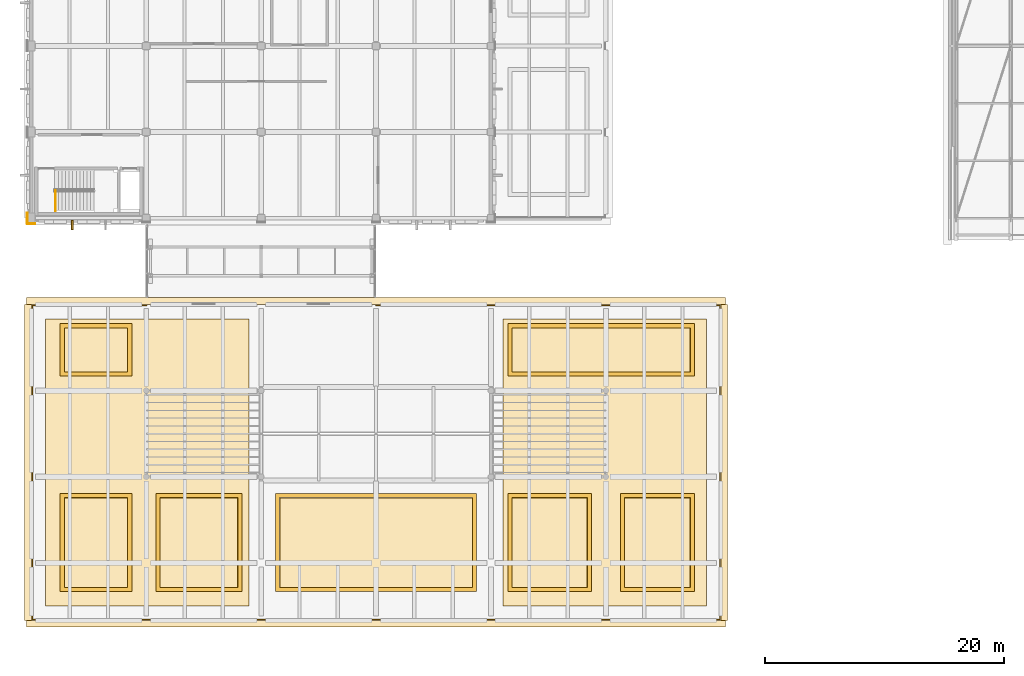
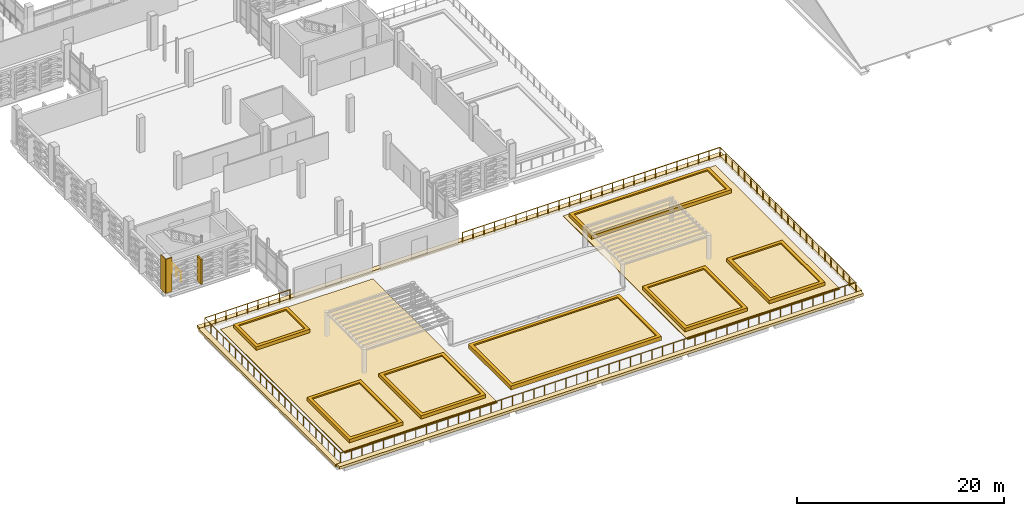
# One storey, part 118 of 134: 23 coverings, 2 railings.
"""IFC4 building model written with IfcOpenShell, lengths in metres."""

import ifcopenshell
import ifcopenshell.guid

model = None  # the IFC model being written
_history = None  # IfcOwnerHistory: only IFC2X3 demands one
_inside = {}  # id of a spatial element -> (the spatial element, [elements in it])
_under = {}  # id of a project, library or spatial element -> (it, [spatial elements below it])
_declared = {}  # id of a project -> (the project, [libraries it declares])
_typed = {}  # id of a type object -> (the type object, [elements of that type])
_made_of = {}  # id of a material, layer set ... -> (it, [elements and type objects made of it])


def new_model(schema):
    """Start an empty IFC model of exactly this schema.

    Asked for "IFC4X3", IfcOpenShell would pick the latest addendum, in which some entities
    have other attributes; the version numbers below select the first issue.
    IFC2X3 requires an IfcOwnerHistory on every rooted entity: one is made here for all.
    """
    global model, _history
    if schema == "IFC4X3":
        model = ifcopenshell.file(schema_version=(4, 3, 0, 0))
    else:
        model = ifcopenshell.file(schema=schema)
    _inside.clear()
    _under.clear()
    _declared.clear()
    _typed.clear()
    _made_of.clear()
    _history = None
    if model.schema == "IFC2X3":
        org = make("IfcOrganization", Name="unknown")
        user = make(
            "IfcPersonAndOrganization",
            ThePerson=make("IfcPerson", FamilyName="unknown"),
            TheOrganization=org,
        )
        app = make(
            "IfcApplication",
            ApplicationDeveloper=org,
            Version="unknown",
            ApplicationFullName="unknown",
            ApplicationIdentifier="unknown",
        )
        _history = make(
            "IfcOwnerHistory",
            OwningUser=user,
            OwningApplication=app,
            ChangeAction="ADDED",
            CreationDate=0,
        )
    return model


def make(cls, **values):
    """One entity of the class cls with the attributes given. An attribute that is None is left unset."""
    return model.create_entity(
        cls, **{name: value for name, value in values.items() if value is not None}
    )


def rooted(cls, **values):
    """An entity with a GlobalId (a new one), such as an element, a storey or a relation."""
    return make(cls, GlobalId=ifcopenshell.guid.new(), OwnerHistory=_history, **values)


def si_unit(unit_type, name, prefix=None):
    """IfcSIUnit, for example si_unit("LENGTHUNIT", "METRE", prefix="MILLI")."""
    return make("IfcSIUnit", UnitType=unit_type, Prefix=prefix, Name=name)


def assignment(units):
    """IfcUnitAssignment: the units of a project."""
    return None if units is None else make("IfcUnitAssignment", Units=units)


def point(xyz):
    """IfcCartesianPoint."""
    return None if xyz is None else make("IfcCartesianPoint", Coordinates=xyz)


def direction(xyz):
    """IfcDirection."""
    return None if xyz is None else make("IfcDirection", DirectionRatios=xyz)


def frame(location, z_axis=None, x_axis=None):
    """IfcAxis2Placement3D, a coordinate frame: its origin and axes. An axis left out is left unset."""
    return make(
        "IfcAxis2Placement3D",
        Location=point(location),
        Axis=direction(z_axis),
        RefDirection=direction(x_axis),
    )


def frame_2d(location, x_axis=None):
    """IfcAxis2Placement2D, a coordinate frame in the plane: its origin and x axis."""
    return make(
        "IfcAxis2Placement2D", Location=point(location), RefDirection=direction(x_axis)
    )


def origin():
    """The frame at (0, 0, 0) with its axes left unset."""
    return frame((0.0, 0.0, 0.0))


def origin_2d():
    """The frame at (0, 0) in the plane with its x axis left unset."""
    return frame_2d((0.0, 0.0))


def place(relative_to, where):
    """IfcLocalPlacement: puts the frame where relative to a parent placement (None: the world)."""
    return make(
        "IfcLocalPlacement", PlacementRelTo=relative_to, RelativePlacement=where
    )


def context(
    kind, dimensions, precision=None, world=None, true_north=None, identifier=None
):
    """IfcGeometricRepresentationContext, for example the 3D "Model" context."""
    return make(
        "IfcGeometricRepresentationContext",
        ContextIdentifier=identifier,
        ContextType=kind,
        CoordinateSpaceDimension=dimensions,
        Precision=precision,
        WorldCoordinateSystem=world,
        TrueNorth=true_north,
    )


def subcontext(parent, identifier, kind, view, scale=None):
    """IfcGeometricRepresentationSubContext, for example "Body" below "Model"."""
    return make(
        "IfcGeometricRepresentationSubContext",
        ContextIdentifier=identifier,
        ContextType=kind,
        ParentContext=parent,
        TargetScale=scale,
        TargetView=view,
    )


def project(units=None, contexts=None):
    """IfcProject with its units and contexts."""
    return rooted(
        "IfcProject",
        Name="project",
        RepresentationContexts=contexts,
        UnitsInContext=assignment(units),
    )


def spatial(cls, under=None, at=None, **own):
    """A site, building, storey or space (cls), placed at a placement, below another one or the project."""
    s = rooted(cls, ObjectPlacement=at, **own)
    if under is not None:
        _under.setdefault(under.id(), (under, []))[1].append(s)
    return s


def polyline(points):
    """IfcPolyline through the points."""
    return make("IfcPolyline", Points=[point(p) for p in points])


def profile(cls, at=None, kind="AREA", **sizes):
    """A parametric profile (cls). Its sizes go by their IFC names, for example OverallWidth=200.0."""
    return make(cls, ProfileType=kind, Position=at, **sizes)


def rectangle(**sizes):
    """IfcRectangleProfileDef."""
    return profile("IfcRectangleProfileDef", **sizes)


def circle(**sizes):
    """IfcCircleProfileDef."""
    return profile("IfcCircleProfileDef", **sizes)


def outline(outer, holes=None, kind="AREA"):
    """IfcArbitraryClosedProfileDef: a profile drawn as a closed curve; with holes, ...WithVoids."""
    if holes is None:
        return make("IfcArbitraryClosedProfileDef", ProfileType=kind, OuterCurve=outer)
    return make(
        "IfcArbitraryProfileDefWithVoids",
        ProfileType=kind,
        OuterCurve=outer,
        InnerCurves=holes,
    )


def extrude(swept, where, along, depth):
    """IfcExtrudedAreaSolid: the profile swept, set in the frame where, extruded along a direction by depth."""
    return make(
        "IfcExtrudedAreaSolid",
        SweptArea=swept,
        Position=where,
        ExtrudedDirection=direction(along),
        Depth=depth,
    )


def shape(context_of_items, identifier, shape_type, items):
    """IfcShapeRepresentation: the items that make up one representation, for example the "Body"."""
    return make(
        "IfcShapeRepresentation",
        ContextOfItems=context_of_items,
        RepresentationIdentifier=identifier,
        RepresentationType=shape_type,
        Items=items,
    )


def material(Name=None, Category=None):
    """IfcMaterial."""
    return make("IfcMaterial", Name=Name, Category=Category)


def layer(
    of_material, thickness, ventilated=None, Name=None, Category=None, Priority=None
):
    """IfcMaterialLayer: one layer of a wall or slab, of a material (None: an air gap)."""
    return make(
        "IfcMaterialLayer",
        Material=of_material,
        LayerThickness=thickness,
        IsVentilated=ventilated,
        Name=Name,
        Category=Category,
        Priority=Priority,
    )


def layer_set(layers, Name=None):
    """IfcMaterialLayerSet."""
    return make("IfcMaterialLayerSet", MaterialLayers=layers, LayerSetName=Name)


def made_of(thing, what):
    """Note that an element or type object is made of a material, layer set ...; save() writes the relation."""
    if what is not None:
        _made_of.setdefault(what.id(), (what, []))[1].append(thing)
    return thing


def type_object(cls, material=None, **own):
    """A type object (cls), such as IfcWallType, which elements share."""
    return made_of(rooted(cls, **own), material)


def element(
    cls,
    number,
    at=None,
    inside=None,
    cuts=None,
    type_object=None,
    material=None,
    context=None,
    identifier="Body",
    shape_type=None,
    held_by="IfcProductDefinitionShape",
    body=None,
    shapes=None,
    **own,
):
    """One element of the class cls, such as IfcWall. Its Tag is "e" and its number.

    at: its placement. inside: the storey or other place that contains it. cuts: it is an
    opening in that element (IfcRelVoidsElement). A single representation is given by context,
    identifier, shape_type and body (its items); several are given by shapes. held_by: the class
    of the entity that holds the representations. save() writes the other relations.
    """
    e = rooted(cls, Tag="e%d" % number, ObjectPlacement=at, **own)
    if body is not None:
        shapes = [shape(context, identifier, shape_type, body)]
    if shapes is not None:
        e.Representation = make(held_by, Representations=shapes)
    if inside is not None:
        _inside.setdefault(inside.id(), (inside, []))[1].append(e)
    if cuts is not None:
        rooted(
            "IfcRelVoidsElement", RelatingBuildingElement=cuts, RelatedOpeningElement=e
        )
    if type_object is not None:
        _typed.setdefault(type_object.id(), (type_object, []))[1].append(e)
    return made_of(e, material)


def aggregate(whole, parts):
    """IfcRelAggregates: a whole, such as a stair, and the parts it consists of."""
    return rooted("IfcRelAggregates", RelatingObject=whole, RelatedObjects=parts)


def save(model, path):
    """Write the relations noted so far, then the file.

    IfcRelAggregates (storeys below a building ...), IfcRelContainedInSpatialStructure (elements
    in a storey), IfcRelDefinesByType, IfcRelAssociatesMaterial and IfcRelDeclares: one each for
    every whole, place, type object, material and project.
    """
    for whole, parts in _under.values():
        aggregate(whole, parts)
    for where, things in _inside.values():
        rooted(
            "IfcRelContainedInSpatialStructure",
            RelatedElements=things,
            RelatingStructure=where,
        )
    for kind, things in _typed.values():
        rooted("IfcRelDefinesByType", RelatedObjects=things, RelatingType=kind)
    for what, things in _made_of.values():
        rooted("IfcRelAssociatesMaterial", RelatedObjects=things, RelatingMaterial=what)
    for by, libraries in _declared.values():
        rooted("IfcRelDeclares", RelatingContext=by, RelatedDefinitions=libraries)
    model.write(path)


model = new_model("IFC4")

# Units and contexts
model_context = context("Model", 3, precision=1e-05, world=origin(), true_north=direction((0.0, 1.0)))
body_context = subcontext(model_context, "Body", "Model", "MODEL_VIEW")
ifc_project = project(units=[si_unit("LENGTHUNIT", "METRE"), si_unit("AREAUNIT", "SQUARE_METRE"), si_unit("VOLUMEUNIT", "CUBIC_METRE"), si_unit("PLANEANGLEUNIT", "RADIAN"), si_unit("MASSUNIT", "GRAM", prefix="KILO")], contexts=[model_context])

# Site, building, storey
site_placement = place(None, origin())
site = spatial("IfcSite", under=ifc_project, at=site_placement, CompositionType="ELEMENT")
building_placement = place(site_placement, origin())
building = spatial("IfcBuilding", under=site, at=building_placement, Name="Asteropetra Specialist Clinic", CompositionType="ELEMENT")
storey_placement = place(building_placement, frame((0.0, 0.0, 8.5)))
storey = spatial("IfcBuildingStorey", under=building, at=storey_placement, Name="L02", CompositionType="ELEMENT", Elevation=8.5)

# Railing
ifc_material_1 = material(Name="Pentelic marble and bronze balustrade", Category="masonry")
railing_type_1 = type_object("IfcRailingType", Name="BAL-STONE-1150", PredefinedType="BALUSTRADE", material=ifc_material_1)
railing_1_placement = place(storey_placement, frame((28.800048828125, 26.320068359375, 0.0)))
element("IfcRailing", 1, at=railing_1_placement, inside=storey, type_object=railing_type_1, Name="Perimeter Guard BAL-V2-SE", PredefinedType="BALUSTRADE", context=body_context, shape_type="SweptSolid", body=[
    extrude(circle(Radius=0.02392578125, at=origin_2d()), frame((0.0, 0.0, 1.1259765625), z_axis=(1.0, 0.0, 0.0), x_axis=(0.0, 1.0, 0.0)), (0.0, 0.0, 1.0), 28.719970703125),
    extrude(circle(Radius=0.02392578125, at=origin_2d()), frame((28.719970703125, 0.0, 1.1259765625), z_axis=(0.0, -1.0, 0.0), x_axis=(1.0, 0.0, 0.0)), (0.0, 0.0, 1.0), 26.239990234375),
    extrude(circle(Radius=0.02392578125, at=origin_2d()), frame((28.719970703125, -26.239990234375, 1.1259765625), z_axis=(-1.0, 0.0, 0.0), x_axis=(0.0, -1.0, 0.0)), (0.0, 0.0, 1.0), 57.43994140625),
    extrude(circle(Radius=0.02392578125, at=origin_2d()), frame((-28.719970703125, -26.239990234375, 1.1259765625), z_axis=(0.0, 1.0, 0.0), x_axis=(-1.0, 0.0, 0.0)), (0.0, 0.0, 1.0), 26.239990234375),
    extrude(circle(Radius=0.02392578125, at=origin_2d()), frame((-28.719970703125, 0.0, 1.1259765625), z_axis=(1.0, 0.0, 0.0), x_axis=(0.0, 1.0, 0.0)), (0.0, 0.0, 1.0), 9.52001953125),
    extrude(circle(Radius=0.02099609375, at=origin_2d()), origin(), (0.0, 0.0, 1.0), 1.101806640625),
    extrude(circle(Radius=0.02099609375, at=origin_2d()), frame((1.19677734375, 0.0, 0.0)), (0.0, 0.0, 1.0), 1.101806640625),
    extrude(circle(Radius=0.02099609375, at=origin_2d()), frame((2.393310546875, 0.0, 0.0)), (0.0, 0.0, 1.0), 1.101806640625),
    extrude(circle(Radius=0.02099609375, at=origin_2d()), frame((3.590087890625, 0.0, 0.0)), (0.0, 0.0, 1.0), 1.101806640625),
    extrude(circle(Radius=0.02099609375, at=origin_2d()), frame((4.78662109375, 0.0, 0.0)), (0.0, 0.0, 1.0), 1.101806640625),
    extrude(circle(Radius=0.02099609375, at=origin_2d()), frame((5.9833984375, 0.0, 0.0)), (0.0, 0.0, 1.0), 1.101806640625),
    extrude(circle(Radius=0.02099609375, at=origin_2d()), frame((7.179931640625, 0.0, 0.0)), (0.0, 0.0, 1.0), 1.101806640625),
    extrude(circle(Radius=0.02099609375, at=origin_2d()), frame((8.376708984375, 0.0, 0.0)), (0.0, 0.0, 1.0), 1.101806640625),
    extrude(circle(Radius=0.02099609375, at=origin_2d()), frame((9.5732421875, 0.0, 0.0)), (0.0, 0.0, 1.0), 1.101806640625),
    extrude(circle(Radius=0.02099609375, at=origin_2d()), frame((10.77001953125, 0.0, 0.0)), (0.0, 0.0, 1.0), 1.101806640625),
    extrude(circle(Radius=0.02099609375, at=origin_2d()), frame((11.966552734375, 0.0, 0.0)), (0.0, 0.0, 1.0), 1.101806640625),
    extrude(circle(Radius=0.02099609375, at=origin_2d()), frame((13.163330078125, 0.0, 0.0)), (0.0, 0.0, 1.0), 1.101806640625),
    extrude(circle(Radius=0.02099609375, at=origin_2d()), frame((14.35986328125, 0.0, 0.0)), (0.0, 0.0, 1.0), 1.101806640625),
    extrude(circle(Radius=0.02099609375, at=origin_2d()), frame((15.556640625, 0.0, 0.0)), (0.0, 0.0, 1.0), 1.101806640625),
    extrude(circle(Radius=0.02099609375, at=origin_2d()), frame((16.75341796875, 0.0, 0.0)), (0.0, 0.0, 1.0), 1.101806640625),
    extrude(circle(Radius=0.02099609375, at=origin_2d()), frame((17.949951171875, 0.0, 0.0)), (0.0, 0.0, 1.0), 1.101806640625),
    extrude(circle(Radius=0.02099609375, at=origin_2d()), frame((19.146728515625, 0.0, 0.0)), (0.0, 0.0, 1.0), 1.101806640625),
    extrude(circle(Radius=0.02099609375, at=origin_2d()), frame((20.34326171875, 0.0, 0.0)), (0.0, 0.0, 1.0), 1.101806640625),
    extrude(circle(Radius=0.02099609375, at=origin_2d()), frame((21.5400390625, 0.0, 0.0)), (0.0, 0.0, 1.0), 1.101806640625),
    extrude(circle(Radius=0.02099609375, at=origin_2d()), frame((22.736572265625, 0.0, 0.0)), (0.0, 0.0, 1.0), 1.101806640625),
    extrude(circle(Radius=0.02099609375, at=origin_2d()), frame((23.933349609375, 0.0, 0.0)), (0.0, 0.0, 1.0), 1.101806640625),
    extrude(circle(Radius=0.02099609375, at=origin_2d()), frame((25.1298828125, 0.0, 0.0)), (0.0, 0.0, 1.0), 1.101806640625),
    extrude(circle(Radius=0.02099609375, at=origin_2d()), frame((26.32666015625, 0.0, 0.0)), (0.0, 0.0, 1.0), 1.101806640625),
    extrude(circle(Radius=0.02099609375, at=origin_2d()), frame((27.523193359375, 0.0, 0.0)), (0.0, 0.0, 1.0), 1.101806640625),
    extrude(circle(Radius=0.02099609375, at=origin_2d()), frame((28.719970703125, 0.0, 0.0)), (0.0, 0.0, 1.0), 1.101806640625),
    extrude(circle(Radius=0.02099609375, at=origin_2d()), frame((28.719970703125, -1.192626953125, 0.0)), (0.0, 0.0, 1.0), 1.101806640625),
    extrude(circle(Radius=0.02099609375, at=origin_2d()), frame((28.719970703125, -2.385498046875, 0.0)), (0.0, 0.0, 1.0), 1.101806640625),
    extrude(circle(Radius=0.02099609375, at=origin_2d()), frame((28.719970703125, -3.578125, 0.0)), (0.0, 0.0, 1.0), 1.101806640625),
    extrude(circle(Radius=0.02099609375, at=origin_2d()), frame((28.719970703125, -4.77099609375, 0.0)), (0.0, 0.0, 1.0), 1.101806640625),
    extrude(circle(Radius=0.02099609375, at=origin_2d()), frame((28.719970703125, -5.963623046875, 0.0)), (0.0, 0.0, 1.0), 1.101806640625),
    extrude(circle(Radius=0.02099609375, at=origin_2d()), frame((28.719970703125, -7.15625, 0.0)), (0.0, 0.0, 1.0), 1.101806640625),
    extrude(circle(Radius=0.02099609375, at=origin_2d()), frame((28.719970703125, -8.34912109375, 0.0)), (0.0, 0.0, 1.0), 1.101806640625),
    extrude(circle(Radius=0.02099609375, at=origin_2d()), frame((28.719970703125, -9.541748046875, 0.0)), (0.0, 0.0, 1.0), 1.101806640625),
    extrude(circle(Radius=0.02099609375, at=origin_2d()), frame((28.719970703125, -10.734619140625, 0.0)), (0.0, 0.0, 1.0), 1.101806640625),
    extrude(circle(Radius=0.02099609375, at=origin_2d()), frame((28.719970703125, -11.92724609375, 0.0)), (0.0, 0.0, 1.0), 1.101806640625),
    extrude(circle(Radius=0.02099609375, at=origin_2d()), frame((28.719970703125, -13.1201171875, 0.0)), (0.0, 0.0, 1.0), 1.101806640625),
    extrude(circle(Radius=0.02099609375, at=origin_2d()), frame((28.719970703125, -14.312744140625, 0.0)), (0.0, 0.0, 1.0), 1.101806640625),
    extrude(circle(Radius=0.02099609375, at=origin_2d()), frame((28.719970703125, -15.50537109375, 0.0)), (0.0, 0.0, 1.0), 1.101806640625),
    extrude(circle(Radius=0.02099609375, at=origin_2d()), frame((28.719970703125, -16.6982421875, 0.0)), (0.0, 0.0, 1.0), 1.101806640625),
    extrude(circle(Radius=0.02099609375, at=origin_2d()), frame((28.719970703125, -17.890869140625, 0.0)), (0.0, 0.0, 1.0), 1.101806640625),
    extrude(circle(Radius=0.02099609375, at=origin_2d()), frame((28.719970703125, -19.083740234375, 0.0)), (0.0, 0.0, 1.0), 1.101806640625),
    extrude(circle(Radius=0.02099609375, at=origin_2d()), frame((28.719970703125, -20.2763671875, 0.0)), (0.0, 0.0, 1.0), 1.101806640625),
    extrude(circle(Radius=0.02099609375, at=origin_2d()), frame((28.719970703125, -21.468994140625, 0.0)), (0.0, 0.0, 1.0), 1.101806640625),
    extrude(circle(Radius=0.02099609375, at=origin_2d()), frame((28.719970703125, -22.661865234375, 0.0)), (0.0, 0.0, 1.0), 1.101806640625),
    extrude(circle(Radius=0.02099609375, at=origin_2d()), frame((28.719970703125, -23.8544921875, 0.0)), (0.0, 0.0, 1.0), 1.101806640625),
    extrude(circle(Radius=0.02099609375, at=origin_2d()), frame((28.719970703125, -25.04736328125, 0.0)), (0.0, 0.0, 1.0), 1.101806640625),
    extrude(circle(Radius=0.02099609375, at=origin_2d()), frame((28.719970703125, -26.239990234375, 0.0)), (0.0, 0.0, 1.0), 1.101806640625),
    extrude(circle(Radius=0.02099609375, at=origin_2d()), frame((27.523193359375, -26.239990234375, 0.0)), (0.0, 0.0, 1.0), 1.101806640625),
    extrude(circle(Radius=0.02099609375, at=origin_2d()), frame((26.32666015625, -26.239990234375, 0.0)), (0.0, 0.0, 1.0), 1.101806640625),
    extrude(circle(Radius=0.02099609375, at=origin_2d()), frame((25.1298828125, -26.239990234375, 0.0)), (0.0, 0.0, 1.0), 1.101806640625),
    extrude(circle(Radius=0.02099609375, at=origin_2d()), frame((23.933349609375, -26.239990234375, 0.0)), (0.0, 0.0, 1.0), 1.101806640625),
    extrude(circle(Radius=0.02099609375, at=origin_2d()), frame((22.736572265625, -26.239990234375, 0.0)), (0.0, 0.0, 1.0), 1.101806640625),
    extrude(circle(Radius=0.02099609375, at=origin_2d()), frame((21.5400390625, -26.239990234375, 0.0)), (0.0, 0.0, 1.0), 1.101806640625),
    extrude(circle(Radius=0.02099609375, at=origin_2d()), frame((20.34326171875, -26.239990234375, 0.0)), (0.0, 0.0, 1.0), 1.101806640625),
    extrude(circle(Radius=0.02099609375, at=origin_2d()), frame((19.146728515625, -26.239990234375, 0.0)), (0.0, 0.0, 1.0), 1.101806640625),
    extrude(circle(Radius=0.02099609375, at=origin_2d()), frame((17.949951171875, -26.239990234375, 0.0)), (0.0, 0.0, 1.0), 1.101806640625),
    extrude(circle(Radius=0.02099609375, at=origin_2d()), frame((16.75341796875, -26.239990234375, 0.0)), (0.0, 0.0, 1.0), 1.101806640625),
    extrude(circle(Radius=0.02099609375, at=origin_2d()), frame((15.556640625, -26.239990234375, 0.0)), (0.0, 0.0, 1.0), 1.101806640625),
    extrude(circle(Radius=0.02099609375, at=origin_2d()), frame((14.35986328125, -26.239990234375, 0.0)), (0.0, 0.0, 1.0), 1.101806640625),
    extrude(circle(Radius=0.02099609375, at=origin_2d()), frame((13.163330078125, -26.239990234375, 0.0)), (0.0, 0.0, 1.0), 1.101806640625),
    extrude(circle(Radius=0.02099609375, at=origin_2d()), frame((11.966552734375, -26.239990234375, 0.0)), (0.0, 0.0, 1.0), 1.101806640625),
    extrude(circle(Radius=0.02099609375, at=origin_2d()), frame((10.77001953125, -26.239990234375, 0.0)), (0.0, 0.0, 1.0), 1.101806640625),
    extrude(circle(Radius=0.02099609375, at=origin_2d()), frame((9.5732421875, -26.239990234375, 0.0)), (0.0, 0.0, 1.0), 1.101806640625),
    extrude(circle(Radius=0.02099609375, at=origin_2d()), frame((8.376708984375, -26.239990234375, 0.0)), (0.0, 0.0, 1.0), 1.101806640625),
    extrude(circle(Radius=0.02099609375, at=origin_2d()), frame((7.179931640625, -26.239990234375, 0.0)), (0.0, 0.0, 1.0), 1.101806640625),
    extrude(circle(Radius=0.02099609375, at=origin_2d()), frame((5.9833984375, -26.239990234375, 0.0)), (0.0, 0.0, 1.0), 1.101806640625),
    extrude(circle(Radius=0.02099609375, at=origin_2d()), frame((4.78662109375, -26.239990234375, 0.0)), (0.0, 0.0, 1.0), 1.101806640625),
    extrude(circle(Radius=0.02099609375, at=origin_2d()), frame((3.590087890625, -26.239990234375, 0.0)), (0.0, 0.0, 1.0), 1.101806640625),
    extrude(circle(Radius=0.02099609375, at=origin_2d()), frame((2.393310546875, -26.239990234375, 0.0)), (0.0, 0.0, 1.0), 1.101806640625),
    extrude(circle(Radius=0.02099609375, at=origin_2d()), frame((1.19677734375, -26.239990234375, 0.0)), (0.0, 0.0, 1.0), 1.101806640625),
    extrude(circle(Radius=0.02099609375, at=origin_2d()), frame((0.0, -26.239990234375, 0.0)), (0.0, 0.0, 1.0), 1.101806640625),
    extrude(circle(Radius=0.02099609375, at=origin_2d()), frame((-1.19677734375, -26.239990234375, 0.0)), (0.0, 0.0, 1.0), 1.101806640625),
    extrude(circle(Radius=0.02099609375, at=origin_2d()), frame((-2.393310546875, -26.239990234375, 0.0)), (0.0, 0.0, 1.0), 1.101806640625),
    extrude(circle(Radius=0.02099609375, at=origin_2d()), frame((-3.590087890625, -26.239990234375, 0.0)), (0.0, 0.0, 1.0), 1.101806640625),
    extrude(circle(Radius=0.02099609375, at=origin_2d()), frame((-4.78662109375, -26.239990234375, 0.0)), (0.0, 0.0, 1.0), 1.101806640625),
    extrude(circle(Radius=0.02099609375, at=origin_2d()), frame((-5.9833984375, -26.239990234375, 0.0)), (0.0, 0.0, 1.0), 1.101806640625),
    extrude(circle(Radius=0.02099609375, at=origin_2d()), frame((-7.179931640625, -26.239990234375, 0.0)), (0.0, 0.0, 1.0), 1.101806640625),
    extrude(circle(Radius=0.02099609375, at=origin_2d()), frame((-8.376708984375, -26.239990234375, 0.0)), (0.0, 0.0, 1.0), 1.101806640625),
    extrude(circle(Radius=0.02099609375, at=origin_2d()), frame((-9.5732421875, -26.239990234375, 0.0)), (0.0, 0.0, 1.0), 1.101806640625),
    extrude(circle(Radius=0.02099609375, at=origin_2d()), frame((-10.77001953125, -26.239990234375, 0.0)), (0.0, 0.0, 1.0), 1.101806640625),
    extrude(circle(Radius=0.02099609375, at=origin_2d()), frame((-11.966552734375, -26.239990234375, 0.0)), (0.0, 0.0, 1.0), 1.101806640625),
    extrude(circle(Radius=0.02099609375, at=origin_2d()), frame((-13.163330078125, -26.239990234375, 0.0)), (0.0, 0.0, 1.0), 1.101806640625),
    extrude(circle(Radius=0.02099609375, at=origin_2d()), frame((-14.35986328125, -26.239990234375, 0.0)), (0.0, 0.0, 1.0), 1.101806640625),
    extrude(circle(Radius=0.02099609375, at=origin_2d()), frame((-15.556640625, -26.239990234375, 0.0)), (0.0, 0.0, 1.0), 1.101806640625),
    extrude(circle(Radius=0.02099609375, at=origin_2d()), frame((-16.75341796875, -26.239990234375, 0.0)), (0.0, 0.0, 1.0), 1.101806640625),
    extrude(circle(Radius=0.02099609375, at=origin_2d()), frame((-17.949951171875, -26.239990234375, 0.0)), (0.0, 0.0, 1.0), 1.101806640625),
    extrude(circle(Radius=0.02099609375, at=origin_2d()), frame((-19.146728515625, -26.239990234375, 0.0)), (0.0, 0.0, 1.0), 1.101806640625),
    extrude(circle(Radius=0.02099609375, at=origin_2d()), frame((-20.34326171875, -26.239990234375, 0.0)), (0.0, 0.0, 1.0), 1.101806640625),
    extrude(circle(Radius=0.02099609375, at=origin_2d()), frame((-21.5400390625, -26.239990234375, 0.0)), (0.0, 0.0, 1.0), 1.101806640625),
    extrude(circle(Radius=0.02099609375, at=origin_2d()), frame((-22.736572265625, -26.239990234375, 0.0)), (0.0, 0.0, 1.0), 1.101806640625),
    extrude(circle(Radius=0.02099609375, at=origin_2d()), frame((-23.933349609375, -26.239990234375, 0.0)), (0.0, 0.0, 1.0), 1.101806640625),
    extrude(circle(Radius=0.02099609375, at=origin_2d()), frame((-25.1298828125, -26.239990234375, 0.0)), (0.0, 0.0, 1.0), 1.101806640625),
    extrude(circle(Radius=0.02099609375, at=origin_2d()), frame((-26.32666015625, -26.239990234375, 0.0)), (0.0, 0.0, 1.0), 1.101806640625),
    extrude(circle(Radius=0.02099609375, at=origin_2d()), frame((-27.523193359375, -26.239990234375, 0.0)), (0.0, 0.0, 1.0), 1.101806640625),
    extrude(circle(Radius=0.02099609375, at=origin_2d()), frame((-28.719970703125, -26.239990234375, 0.0)), (0.0, 0.0, 1.0), 1.101806640625),
    extrude(circle(Radius=0.02099609375, at=origin_2d()), frame((-28.719970703125, -25.04736328125, 0.0)), (0.0, 0.0, 1.0), 1.101806640625),
    extrude(circle(Radius=0.02099609375, at=origin_2d()), frame((-28.719970703125, -23.8544921875, 0.0)), (0.0, 0.0, 1.0), 1.101806640625),
    extrude(circle(Radius=0.02099609375, at=origin_2d()), frame((-28.719970703125, -22.661865234375, 0.0)), (0.0, 0.0, 1.0), 1.101806640625),
    extrude(circle(Radius=0.02099609375, at=origin_2d()), frame((-28.719970703125, -21.468994140625, 0.0)), (0.0, 0.0, 1.0), 1.101806640625),
    extrude(circle(Radius=0.02099609375, at=origin_2d()), frame((-28.719970703125, -20.2763671875, 0.0)), (0.0, 0.0, 1.0), 1.101806640625),
    extrude(circle(Radius=0.02099609375, at=origin_2d()), frame((-28.719970703125, -19.083740234375, 0.0)), (0.0, 0.0, 1.0), 1.101806640625),
    extrude(circle(Radius=0.02099609375, at=origin_2d()), frame((-28.719970703125, -17.890869140625, 0.0)), (0.0, 0.0, 1.0), 1.101806640625),
    extrude(circle(Radius=0.02099609375, at=origin_2d()), frame((-28.719970703125, -16.6982421875, 0.0)), (0.0, 0.0, 1.0), 1.101806640625),
    extrude(circle(Radius=0.02099609375, at=origin_2d()), frame((-28.719970703125, -15.50537109375, 0.0)), (0.0, 0.0, 1.0), 1.101806640625),
    extrude(circle(Radius=0.02099609375, at=origin_2d()), frame((-28.719970703125, -14.312744140625, 0.0)), (0.0, 0.0, 1.0), 1.101806640625),
    extrude(circle(Radius=0.02099609375, at=origin_2d()), frame((-28.719970703125, -13.1201171875, 0.0)), (0.0, 0.0, 1.0), 1.101806640625),
    extrude(circle(Radius=0.02099609375, at=origin_2d()), frame((-28.719970703125, -11.92724609375, 0.0)), (0.0, 0.0, 1.0), 1.101806640625),
    extrude(circle(Radius=0.02099609375, at=origin_2d()), frame((-28.719970703125, -10.734619140625, 0.0)), (0.0, 0.0, 1.0), 1.101806640625),
    extrude(circle(Radius=0.02099609375, at=origin_2d()), frame((-28.719970703125, -9.541748046875, 0.0)), (0.0, 0.0, 1.0), 1.101806640625),
    extrude(circle(Radius=0.02099609375, at=origin_2d()), frame((-28.719970703125, -8.34912109375, 0.0)), (0.0, 0.0, 1.0), 1.101806640625),
    extrude(circle(Radius=0.02099609375, at=origin_2d()), frame((-28.719970703125, -7.15625, 0.0)), (0.0, 0.0, 1.0), 1.101806640625),
    extrude(circle(Radius=0.02099609375, at=origin_2d()), frame((-28.719970703125, -5.963623046875, 0.0)), (0.0, 0.0, 1.0), 1.101806640625),
    extrude(circle(Radius=0.02099609375, at=origin_2d()), frame((-28.719970703125, -4.77099609375, 0.0)), (0.0, 0.0, 1.0), 1.101806640625),
    extrude(circle(Radius=0.02099609375, at=origin_2d()), frame((-28.719970703125, -3.578125, 0.0)), (0.0, 0.0, 1.0), 1.101806640625),
    extrude(circle(Radius=0.02099609375, at=origin_2d()), frame((-28.719970703125, -2.385498046875, 0.0)), (0.0, 0.0, 1.0), 1.101806640625),
    extrude(circle(Radius=0.02099609375, at=origin_2d()), frame((-28.719970703125, -1.192626953125, 0.0)), (0.0, 0.0, 1.0), 1.101806640625),
    extrude(circle(Radius=0.02099609375, at=origin_2d()), frame((-28.719970703125, 0.0, 0.0)), (0.0, 0.0, 1.0), 1.101806640625),
    extrude(circle(Radius=0.02099609375, at=origin_2d()), frame((-27.530029296875, 0.0, 0.0)), (0.0, 0.0, 1.0), 1.101806640625),
    extrude(circle(Radius=0.02099609375, at=origin_2d()), frame((-26.33984375, 0.0, 0.0)), (0.0, 0.0, 1.0), 1.101806640625),
    extrude(circle(Radius=0.02099609375, at=origin_2d()), frame((-25.14990234375, 0.0, 0.0)), (0.0, 0.0, 1.0), 1.101806640625),
    extrude(circle(Radius=0.02099609375, at=origin_2d()), frame((-23.9599609375, 0.0, 0.0)), (0.0, 0.0, 1.0), 1.101806640625),
    extrude(circle(Radius=0.02099609375, at=origin_2d()), frame((-22.77001953125, 0.0, 0.0)), (0.0, 0.0, 1.0), 1.101806640625),
    extrude(circle(Radius=0.02099609375, at=origin_2d()), frame((-21.580078125, 0.0, 0.0)), (0.0, 0.0, 1.0), 1.101806640625),
    extrude(circle(Radius=0.02099609375, at=origin_2d()), frame((-20.389892578125, 0.0, 0.0)), (0.0, 0.0, 1.0), 1.101806640625),
    extrude(circle(Radius=0.02099609375, at=origin_2d()), frame((-19.199951171875, 0.0, 0.0)), (0.0, 0.0, 1.0), 1.101806640625),
])

# Coverings
ifc_material_2 = material(Name="Pentelic marble ashlar", Category="masonry")
ifc_layer_1 = layer(ifc_material_2, 0.159912109375)
ifc_layer_set_1 = layer_set([ifc_layer_1], Name="Pentelic marble ashlar")
covering_type_1 = type_object("IfcCoveringType", Name="CRN-ENTAB-600", PredefinedType="MOLDING", material=ifc_layer_set_1)
covering_1_placement = place(storey_placement, frame((0.0, 33.14306640625, 0.02001953125), z_axis=(0.0, 0.0, 1.0), x_axis=(1.0, 0.0, 0.0)))
element("IfcCovering", 2, at=covering_1_placement, inside=storey, type_object=covering_type_1, Name="Neoclassical Pilaster Facing CM-0877", PredefinedType="MOLDING", context=body_context, shape_type="SweptSolid", body=[
    extrude(rectangle(XDim=0.679931640625, YDim=0.080078125, at=origin_2d()), origin(), (0.0, 0.0, 1.0), 4.0400390625),
])
covering_2_placement = place(storey_placement, frame((-0.33203125, 33.60009765625, 0.02001953125), z_axis=(0.0, 0.0, 1.0), x_axis=(1.0, 0.0, 0.0)))
element("IfcCovering", 3, at=covering_2_placement, inside=storey, type_object=covering_type_1, Name="Neoclassical Pilaster Facing CM-0878", PredefinedType="MOLDING", context=body_context, shape_type="SweptSolid", body=[
    extrude(rectangle(XDim=0.080078125, YDim=0.929931640625, at=origin_2d()), origin(), (0.0, 0.0, 1.0), 4.0400390625),
])
for number, where, z_axis, x_axis, name in (
    (4, (28.800048828125, -0.280029296875, -0.2802734375), (0.0, 0.0, 1.0), (1.0, 0.0, 0.0), "Classical Entablature Cornice EC-001"),
    (5, (28.800048828125, 26.679931640625, -0.2802734375), (0.0, 0.0, 1.0), (1.0, 0.0, 0.0), "Classical Entablature Cornice EC-002"),
):
    element("IfcCovering", number, at=place(storey_placement, frame(where, z_axis=z_axis, x_axis=x_axis)), inside=storey, type_object=covering_type_1, Name=name, PredefinedType="MOLDING", context=body_context, shape_type="SweptSolid", body=[
        extrude(rectangle(XDim=58.39990234375, YDim=0.56005859375, at=origin_2d()), origin(), (0.0, 0.0, 1.0), 0.320068359375),
    ])
for number, where, z_axis, x_axis, name in (
    (6, (-0.280029296875, 13.199951171875, -0.2802734375), (0.0, 0.0, 1.0), (1.0, 0.0, 0.0), "Classical Entablature Cornice EC-003"),
    (7, (57.8798828125, 13.199951171875, -0.2802734375), (0.0, 0.0, 1.0), (1.0, 0.0, 0.0), "Classical Entablature Cornice EC-004"),
):
    element("IfcCovering", number, at=place(storey_placement, frame(where, z_axis=z_axis, x_axis=x_axis)), inside=storey, type_object=covering_type_1, Name=name, PredefinedType="MOLDING", context=body_context, shape_type="SweptSolid", body=[
        extrude(rectangle(XDim=0.56005859375, YDim=26.39990234375, at=origin_2d()), origin(), (0.0, 0.0, 1.0), 0.320068359375),
    ])
covering_3_placement = place(storey_placement, origin())
element("IfcCovering", 8, at=covering_3_placement, inside=storey, type_object=covering_type_1, Name="Planted Terrace Planter Curb PTB-V2-01C", PredefinedType="MOLDING", context=body_context, shape_type="SweptSolid", body=[
    extrude(outline(polyline([(2.39990234375, 2.39990234375), (8.39990234375, 2.39990234375), (8.39990234375, 10.60009765625), (2.39990234375, 10.60009765625), (2.39990234375, 2.39990234375)]), holes=[polyline([(2.75, 2.75), (8.050048828125, 2.75), (8.050048828125, 10.25), (2.75, 10.25), (2.75, 2.75)])]), origin(), (0.0, 0.0, 1.0), 0.47998046875),
])
covering_4_placement = place(storey_placement, origin())
element("IfcCovering", 9, at=covering_4_placement, inside=storey, type_object=covering_type_1, Name="Planted Terrace Planter Curb PTB-V2-02C", PredefinedType="MOLDING", context=body_context, shape_type="SweptSolid", body=[
    extrude(outline(polyline([(10.39990234375, 2.39990234375), (17.60009765625, 2.39990234375), (17.60009765625, 10.60009765625), (10.39990234375, 10.60009765625), (10.39990234375, 2.39990234375)]), holes=[polyline([(10.75, 2.75), (17.25, 2.75), (17.25, 10.25), (10.75, 10.25), (10.75, 2.75)])]), origin(), (0.0, 0.0, 1.0), 0.47998046875),
])
covering_5_placement = place(storey_placement, origin())
element("IfcCovering", 10, at=covering_5_placement, inside=storey, type_object=covering_type_1, Name="Planted Terrace Planter Curb PTB-V2-03C", PredefinedType="MOLDING", context=body_context, shape_type="SweptSolid", body=[
    extrude(outline(polyline([(20.39990234375, 2.39990234375), (37.199951171875, 2.39990234375), (37.199951171875, 10.60009765625), (20.39990234375, 10.60009765625), (20.39990234375, 2.39990234375)]), holes=[polyline([(20.75, 2.75), (36.85009765625, 2.75), (36.85009765625, 10.25), (20.75, 10.25), (20.75, 2.75)])]), origin(), (0.0, 0.0, 1.0), 0.47998046875),
])
covering_6_placement = place(storey_placement, origin())
element("IfcCovering", 11, at=covering_6_placement, inside=storey, type_object=covering_type_1, Name="Planted Terrace Planter Curb PTB-V2-04C", PredefinedType="MOLDING", context=body_context, shape_type="SweptSolid", body=[
    extrude(outline(polyline([(39.800048828125, 2.39990234375), (46.800048828125, 2.39990234375), (46.800048828125, 10.60009765625), (39.800048828125, 10.60009765625), (39.800048828125, 2.39990234375)]), holes=[polyline([(40.14990234375, 2.75), (46.449951171875, 2.75), (46.449951171875, 10.25), (40.14990234375, 10.25), (40.14990234375, 2.75)])]), origin(), (0.0, 0.0, 1.0), 0.47998046875),
])
covering_7_placement = place(storey_placement, origin())
element("IfcCovering", 12, at=covering_7_placement, inside=storey, type_object=covering_type_1, Name="Planted Terrace Planter Curb PTB-V2-05C", PredefinedType="MOLDING", context=body_context, shape_type="SweptSolid", body=[
    extrude(outline(polyline([(49.199951171875, 2.39990234375), (55.39990234375, 2.39990234375), (55.39990234375, 10.60009765625), (49.199951171875, 10.60009765625), (49.199951171875, 2.39990234375)]), holes=[polyline([(49.550048828125, 2.75), (55.050048828125, 2.75), (55.050048828125, 10.25), (49.550048828125, 10.25), (49.550048828125, 2.75)])]), origin(), (0.0, 0.0, 1.0), 0.47998046875),
])
covering_8_placement = place(storey_placement, origin())
element("IfcCovering", 13, at=covering_8_placement, inside=storey, type_object=covering_type_1, Name="Planted Terrace Planter Curb PTB-V2-06C", PredefinedType="MOLDING", context=body_context, shape_type="SweptSolid", body=[
    extrude(outline(polyline([(2.39990234375, 20.39990234375), (8.39990234375, 20.39990234375), (8.39990234375, 24.800048828125), (2.39990234375, 24.800048828125), (2.39990234375, 20.39990234375)]), holes=[polyline([(2.75, 20.75), (8.050048828125, 20.75), (8.050048828125, 24.449951171875), (2.75, 24.449951171875), (2.75, 20.75)])]), origin(), (0.0, 0.0, 1.0), 0.47998046875),
])
covering_9_placement = place(storey_placement, origin())
element("IfcCovering", 14, at=covering_9_placement, inside=storey, type_object=covering_type_1, Name="Planted Terrace Planter Curb PTB-V2-07C", PredefinedType="MOLDING", context=body_context, shape_type="SweptSolid", body=[
    extrude(outline(polyline([(39.800048828125, 20.39990234375), (55.39990234375, 20.39990234375), (55.39990234375, 24.800048828125), (39.800048828125, 24.800048828125), (39.800048828125, 20.39990234375)]), holes=[polyline([(40.14990234375, 20.75), (55.050048828125, 20.75), (55.050048828125, 24.449951171875), (40.14990234375, 24.449951171875), (40.14990234375, 20.75)])]), origin(), (0.0, 0.0, 1.0), 0.47998046875),
])
ifc_material_3 = material(Name="Pentelic marble solar fin", Category="masonry")
ifc_layer_2 = layer(ifc_material_3, 0.080078125)
ifc_layer_set_2 = layer_set([ifc_layer_2], Name="Pentelic marble solar fin")
covering_type_2 = type_object("IfcCoveringType", Name="FIN-SOLAR-800", PredefinedType="MOLDING", material=ifc_layer_set_2)
covering_10_placement = place(storey_placement, frame((3.40673828125, 33.050048828125, 0.070068359375), z_axis=(0.0, 0.0, 1.0), x_axis=(1.0, 0.0, 0.0)))
element("IfcCovering", 15, at=covering_10_placement, inside=storey, type_object=covering_type_2, Name="Solar Shading Fin FN-0124", PredefinedType="MOLDING", context=body_context, shape_type="SweptSolid", body=[
    extrude(rectangle(XDim=0.159912109375, YDim=0.800048828125, at=origin_2d()), origin(), (0.0, 0.0, 1.0), 2.919921875),
])

# Railing
ifc_material_4 = material(Name="Steel S355 and laminated glass guard", Category="steel")
railing_type_2 = type_object("IfcRailingType", Name="GRD-INT-1120", PredefinedType="GUARDRAIL", material=ifc_material_4)
railing_2_placement = place(storey_placement, frame((2.0, 34.199951171875, 0.0)))
element("IfcRailing", 16, at=railing_2_placement, inside=storey, type_object=railing_type_2, Name="Stair Well Guard ST04-L01", PredefinedType="GUARDRAIL", context=body_context, shape_type="SweptSolid", body=[
    extrude(circle(Radius=0.02392578125, at=origin_2d()), frame((0.0, 0.0, 1.09619140625), z_axis=(0.0, 1.0, 0.0), x_axis=(-1.0, 0.0, 0.0)), (0.0, 0.0, 1.0), 1.72998046875),
    extrude(circle(Radius=0.02099609375, at=origin_2d()), origin(), (0.0, 0.0, 1.0), 1.072021484375),
    extrude(circle(Radius=0.02099609375, at=origin_2d()), frame((0.0, 0.864990234375, 0.0)), (0.0, 0.0, 1.0), 1.072021484375),
    extrude(circle(Radius=0.02099609375, at=origin_2d()), frame((0.0, 1.72998046875, 0.0)), (0.0, 0.0, 1.0), 1.072021484375),
])

# Coverings
ifc_material_5 = material(Name="Planted roof growing medium")
ifc_layer_3 = layer(ifc_material_5, 0.080078125)
ifc_layer_set_3 = layer_set([ifc_layer_3], Name="Planted roof growing medium")
covering_type_3 = type_object("IfcCoveringType", Name="RFG-GREEN-V2", PredefinedType="ROOFING", material=ifc_layer_set_3)
covering_11_placement = place(storey_placement, origin())
element("IfcCovering", 17, at=covering_11_placement, inside=storey, type_object=covering_type_3, Name="Roof Covering RFG-V2-PLANT1", PredefinedType="ROOFING", context=body_context, shape_type="SweptSolid", body=[
    extrude(outline(polyline([(1.199951171875, 1.199951171875), (18.199951171875, 1.199951171875), (18.199951171875, 25.199951171875), (1.199951171875, 25.199951171875), (1.199951171875, 1.199951171875)])), origin(), (0.0, 0.0, 1.0), 0.080078125),
])
covering_12_placement = place(storey_placement, origin())
element("IfcCovering", 18, at=covering_12_placement, inside=storey, type_object=covering_type_3, Name="Roof Covering RFG-V2-PLANT2", PredefinedType="ROOFING", context=body_context, shape_type="SweptSolid", body=[
    extrude(outline(polyline([(39.39990234375, 1.199951171875), (56.39990234375, 1.199951171875), (56.39990234375, 25.199951171875), (39.39990234375, 25.199951171875), (39.39990234375, 1.199951171875)])), origin(), (0.0, 0.0, 1.0), 0.080078125),
])
covering_13_placement = place(storey_placement, origin())
element("IfcCovering", 19, at=covering_13_placement, inside=storey, type_object=covering_type_3, Name="Planted Terrace Greenery Bed PTB-V2-01G", PredefinedType="ROOFING", context=body_context, shape_type="SweptSolid", body=[
    extrude(outline(polyline([(2.760009765625, 2.760009765625), (8.0400390625, 2.760009765625), (8.0400390625, 10.239990234375), (2.760009765625, 10.239990234375), (2.760009765625, 2.760009765625)])), origin(), (0.0, 0.0, 1.0), 0.340087890625),
])
covering_14_placement = place(storey_placement, origin())
element("IfcCovering", 20, at=covering_14_placement, inside=storey, type_object=covering_type_3, Name="Planted Terrace Greenery Bed PTB-V2-02G", PredefinedType="ROOFING", context=body_context, shape_type="SweptSolid", body=[
    extrude(outline(polyline([(10.760009765625, 2.760009765625), (17.239990234375, 2.760009765625), (17.239990234375, 10.239990234375), (10.760009765625, 10.239990234375), (10.760009765625, 2.760009765625)])), origin(), (0.0, 0.0, 1.0), 0.340087890625),
])
covering_15_placement = place(storey_placement, origin())
element("IfcCovering", 21, at=covering_15_placement, inside=storey, type_object=covering_type_3, Name="Planted Terrace Greenery Bed PTB-V2-03G", PredefinedType="ROOFING", context=body_context, shape_type="SweptSolid", body=[
    extrude(outline(polyline([(20.760009765625, 2.760009765625), (36.840087890625, 2.760009765625), (36.840087890625, 10.239990234375), (20.760009765625, 10.239990234375), (20.760009765625, 2.760009765625)])), origin(), (0.0, 0.0, 1.0), 0.340087890625),
])
covering_16_placement = place(storey_placement, origin())
element("IfcCovering", 22, at=covering_16_placement, inside=storey, type_object=covering_type_3, Name="Planted Terrace Greenery Bed PTB-V2-04G", PredefinedType="ROOFING", context=body_context, shape_type="SweptSolid", body=[
    extrude(outline(polyline([(40.159912109375, 2.760009765625), (46.43994140625, 2.760009765625), (46.43994140625, 10.239990234375), (40.159912109375, 10.239990234375), (40.159912109375, 2.760009765625)])), origin(), (0.0, 0.0, 1.0), 0.340087890625),
])
covering_17_placement = place(storey_placement, origin())
element("IfcCovering", 23, at=covering_17_placement, inside=storey, type_object=covering_type_3, Name="Planted Terrace Greenery Bed PTB-V2-05G", PredefinedType="ROOFING", context=body_context, shape_type="SweptSolid", body=[
    extrude(outline(polyline([(49.56005859375, 2.760009765625), (55.0400390625, 2.760009765625), (55.0400390625, 10.239990234375), (49.56005859375, 10.239990234375), (49.56005859375, 2.760009765625)])), origin(), (0.0, 0.0, 1.0), 0.340087890625),
])
covering_18_placement = place(storey_placement, origin())
element("IfcCovering", 24, at=covering_18_placement, inside=storey, type_object=covering_type_3, Name="Planted Terrace Greenery Bed PTB-V2-06G", PredefinedType="ROOFING", context=body_context, shape_type="SweptSolid", body=[
    extrude(outline(polyline([(2.760009765625, 20.760009765625), (8.0400390625, 20.760009765625), (8.0400390625, 24.43994140625), (2.760009765625, 24.43994140625), (2.760009765625, 20.760009765625)])), origin(), (0.0, 0.0, 1.0), 0.340087890625),
])
covering_19_placement = place(storey_placement, origin())
element("IfcCovering", 25, at=covering_19_placement, inside=storey, type_object=covering_type_3, Name="Planted Terrace Greenery Bed PTB-V2-07G", PredefinedType="ROOFING", context=body_context, shape_type="SweptSolid", body=[
    extrude(outline(polyline([(40.159912109375, 20.760009765625), (55.0400390625, 20.760009765625), (55.0400390625, 24.43994140625), (40.159912109375, 24.43994140625), (40.159912109375, 20.760009765625)])), origin(), (0.0, 0.0, 1.0), 0.340087890625),
])

save(model, "model.ifc")
